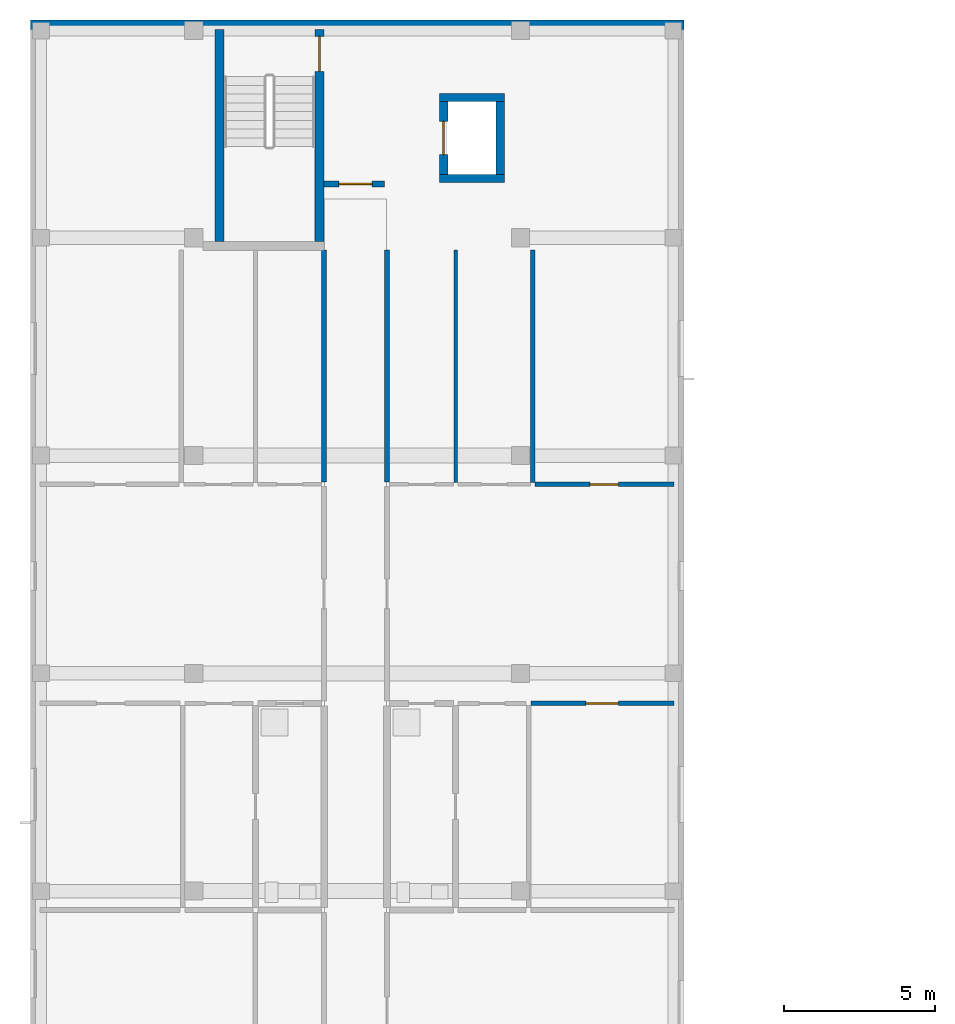
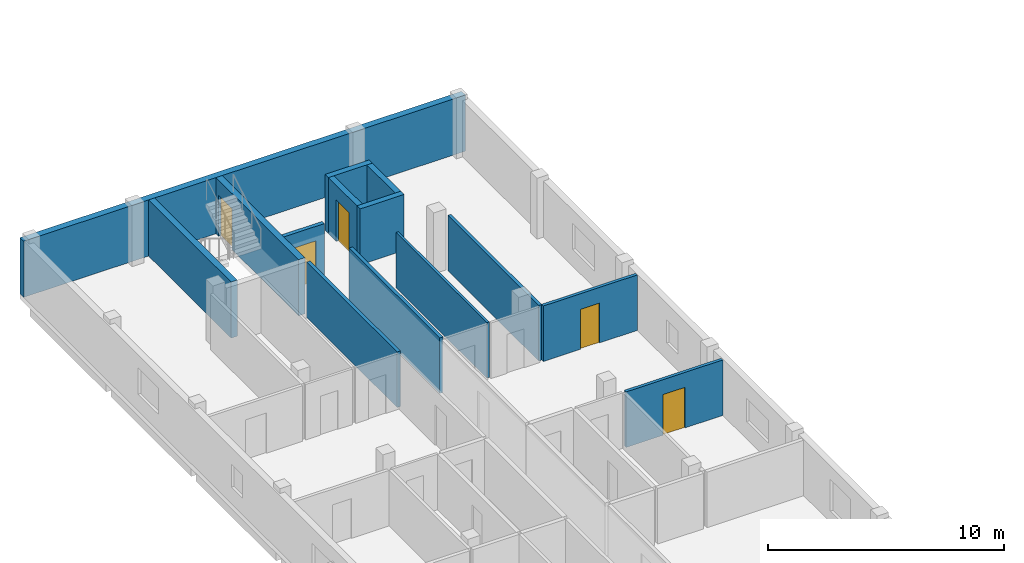
# One storey, part 14 of 35: 14 walls, 5 doors, 5 openings.
"""IFC4 building model written with IfcOpenShell, lengths in metres."""

import ifcopenshell
import ifcopenshell.guid

model = None  # the IFC model being written
_history = None  # IfcOwnerHistory: only IFC2X3 demands one
_inside = {}  # id of a spatial element -> (the spatial element, [elements in it])
_under = {}  # id of a project, library or spatial element -> (it, [spatial elements below it])
_declared = {}  # id of a project -> (the project, [libraries it declares])
_typed = {}  # id of a type object -> (the type object, [elements of that type])
_made_of = {}  # id of a material, layer set ... -> (it, [elements and type objects made of it])


def new_model(schema):
    """Start an empty IFC model of exactly this schema.

    Asked for "IFC4X3", IfcOpenShell would pick the latest addendum, in which some entities
    have other attributes; the version numbers below select the first issue.
    IFC2X3 requires an IfcOwnerHistory on every rooted entity: one is made here for all.
    """
    global model, _history
    if schema == "IFC4X3":
        model = ifcopenshell.file(schema_version=(4, 3, 0, 0))
    else:
        model = ifcopenshell.file(schema=schema)
    _inside.clear()
    _under.clear()
    _declared.clear()
    _typed.clear()
    _made_of.clear()
    _history = None
    if model.schema == "IFC2X3":
        org = make("IfcOrganization", Name="unknown")
        user = make(
            "IfcPersonAndOrganization",
            ThePerson=make("IfcPerson", FamilyName="unknown"),
            TheOrganization=org,
        )
        app = make(
            "IfcApplication",
            ApplicationDeveloper=org,
            Version="unknown",
            ApplicationFullName="unknown",
            ApplicationIdentifier="unknown",
        )
        _history = make(
            "IfcOwnerHistory",
            OwningUser=user,
            OwningApplication=app,
            ChangeAction="ADDED",
            CreationDate=0,
        )
    return model


def make(cls, **values):
    """One entity of the class cls with the attributes given. An attribute that is None is left unset."""
    return model.create_entity(
        cls, **{name: value for name, value in values.items() if value is not None}
    )


def rooted(cls, **values):
    """An entity with a GlobalId (a new one), such as an element, a storey or a relation."""
    return make(cls, GlobalId=ifcopenshell.guid.new(), OwnerHistory=_history, **values)


def si_unit(unit_type, name, prefix=None):
    """IfcSIUnit, for example si_unit("LENGTHUNIT", "METRE", prefix="MILLI")."""
    return make("IfcSIUnit", UnitType=unit_type, Prefix=prefix, Name=name)


def derived_unit(unit_type, elements):
    """IfcDerivedUnit: a product of units, each with its exponent."""
    return make(
        "IfcDerivedUnit",
        Elements=[
            make("IfcDerivedUnitElement", Unit=unit, Exponent=power)
            for unit, power in elements
        ],
        UnitType=unit_type,
    )


def assignment(units):
    """IfcUnitAssignment: the units of a project."""
    return None if units is None else make("IfcUnitAssignment", Units=units)


def point(xyz):
    """IfcCartesianPoint."""
    return None if xyz is None else make("IfcCartesianPoint", Coordinates=xyz)


def direction(xyz):
    """IfcDirection."""
    return None if xyz is None else make("IfcDirection", DirectionRatios=xyz)


def frame(location, z_axis=None, x_axis=None):
    """IfcAxis2Placement3D, a coordinate frame: its origin and axes. An axis left out is left unset."""
    return make(
        "IfcAxis2Placement3D",
        Location=point(location),
        Axis=direction(z_axis),
        RefDirection=direction(x_axis),
    )


def frame_2d(location, x_axis=None):
    """IfcAxis2Placement2D, a coordinate frame in the plane: its origin and x axis."""
    return make(
        "IfcAxis2Placement2D", Location=point(location), RefDirection=direction(x_axis)
    )


def origin():
    """The frame at (0, 0, 0) with its axes left unset."""
    return frame((0.0, 0.0, 0.0))


def place(relative_to, where):
    """IfcLocalPlacement: puts the frame where relative to a parent placement (None: the world)."""
    return make(
        "IfcLocalPlacement", PlacementRelTo=relative_to, RelativePlacement=where
    )


def context(
    kind, dimensions, precision=None, world=None, true_north=None, identifier=None
):
    """IfcGeometricRepresentationContext, for example the 3D "Model" context."""
    return make(
        "IfcGeometricRepresentationContext",
        ContextIdentifier=identifier,
        ContextType=kind,
        CoordinateSpaceDimension=dimensions,
        Precision=precision,
        WorldCoordinateSystem=world,
        TrueNorth=true_north,
    )


def subcontext(parent, identifier, kind, view, scale=None):
    """IfcGeometricRepresentationSubContext, for example "Body" below "Model"."""
    return make(
        "IfcGeometricRepresentationSubContext",
        ContextIdentifier=identifier,
        ContextType=kind,
        ParentContext=parent,
        TargetScale=scale,
        TargetView=view,
    )


def project(units=None, contexts=None):
    """IfcProject with its units and contexts."""
    return rooted(
        "IfcProject",
        Name="project",
        RepresentationContexts=contexts,
        UnitsInContext=assignment(units),
    )


def spatial(cls, under=None, at=None, **own):
    """A site, building, storey or space (cls), placed at a placement, below another one or the project."""
    s = rooted(cls, ObjectPlacement=at, **own)
    if under is not None:
        _under.setdefault(under.id(), (under, []))[1].append(s)
    return s


def profile(cls, at=None, kind="AREA", **sizes):
    """A parametric profile (cls). Its sizes go by their IFC names, for example OverallWidth=200.0."""
    return make(cls, ProfileType=kind, Position=at, **sizes)


def rectangle(**sizes):
    """IfcRectangleProfileDef."""
    return profile("IfcRectangleProfileDef", **sizes)


def extrude(swept, where, along, depth):
    """IfcExtrudedAreaSolid: the profile swept, set in the frame where, extruded along a direction by depth."""
    return make(
        "IfcExtrudedAreaSolid",
        SweptArea=swept,
        Position=where,
        ExtrudedDirection=direction(along),
        Depth=depth,
    )


def shape(context_of_items, identifier, shape_type, items):
    """IfcShapeRepresentation: the items that make up one representation, for example the "Body"."""
    return make(
        "IfcShapeRepresentation",
        ContextOfItems=context_of_items,
        RepresentationIdentifier=identifier,
        RepresentationType=shape_type,
        Items=items,
    )


def material(Name=None, Category=None):
    """IfcMaterial."""
    return make("IfcMaterial", Name=Name, Category=Category)


def layer(
    of_material, thickness, ventilated=None, Name=None, Category=None, Priority=None
):
    """IfcMaterialLayer: one layer of a wall or slab, of a material (None: an air gap)."""
    return make(
        "IfcMaterialLayer",
        Material=of_material,
        LayerThickness=thickness,
        IsVentilated=ventilated,
        Name=Name,
        Category=Category,
        Priority=Priority,
    )


def layer_set(layers, Name=None):
    """IfcMaterialLayerSet."""
    return make("IfcMaterialLayerSet", MaterialLayers=layers, LayerSetName=Name)


def made_of(thing, what):
    """Note that an element or type object is made of a material, layer set ...; save() writes the relation."""
    if what is not None:
        _made_of.setdefault(what.id(), (what, []))[1].append(thing)
    return thing


def type_object(cls, material=None, **own):
    """A type object (cls), such as IfcWallType, which elements share."""
    return made_of(rooted(cls, **own), material)


def element(
    cls,
    number,
    at=None,
    inside=None,
    cuts=None,
    type_object=None,
    material=None,
    context=None,
    identifier="Body",
    shape_type=None,
    held_by="IfcProductDefinitionShape",
    body=None,
    shapes=None,
    **own,
):
    """One element of the class cls, such as IfcWall. Its Tag is "e" and its number.

    at: its placement. inside: the storey or other place that contains it. cuts: it is an
    opening in that element (IfcRelVoidsElement). A single representation is given by context,
    identifier, shape_type and body (its items); several are given by shapes. held_by: the class
    of the entity that holds the representations. save() writes the other relations.
    """
    e = rooted(cls, Tag="e%d" % number, ObjectPlacement=at, **own)
    if body is not None:
        shapes = [shape(context, identifier, shape_type, body)]
    if shapes is not None:
        e.Representation = make(held_by, Representations=shapes)
    if inside is not None:
        _inside.setdefault(inside.id(), (inside, []))[1].append(e)
    if cuts is not None:
        rooted(
            "IfcRelVoidsElement", RelatingBuildingElement=cuts, RelatedOpeningElement=e
        )
    if type_object is not None:
        _typed.setdefault(type_object.id(), (type_object, []))[1].append(e)
    return made_of(e, material)


def fill(opening, filler):
    """IfcRelFillsElement: the door or window that sits in an opening."""
    return rooted(
        "IfcRelFillsElement",
        RelatingOpeningElement=opening,
        RelatedBuildingElement=filler,
    )


def aggregate(whole, parts):
    """IfcRelAggregates: a whole, such as a stair, and the parts it consists of."""
    return rooted("IfcRelAggregates", RelatingObject=whole, RelatedObjects=parts)


def save(model, path):
    """Write the relations noted so far, then the file.

    IfcRelAggregates (storeys below a building ...), IfcRelContainedInSpatialStructure (elements
    in a storey), IfcRelDefinesByType, IfcRelAssociatesMaterial and IfcRelDeclares: one each for
    every whole, place, type object, material and project.
    """
    for whole, parts in _under.values():
        aggregate(whole, parts)
    for where, things in _inside.values():
        rooted(
            "IfcRelContainedInSpatialStructure",
            RelatedElements=things,
            RelatingStructure=where,
        )
    for kind, things in _typed.values():
        rooted("IfcRelDefinesByType", RelatedObjects=things, RelatingType=kind)
    for what, things in _made_of.values():
        rooted("IfcRelAssociatesMaterial", RelatedObjects=things, RelatingMaterial=what)
    for by, libraries in _declared.values():
        rooted("IfcRelDeclares", RelatingContext=by, RelatedDefinitions=libraries)
    model.write(path)


model = new_model("IFC4")

# Units and contexts
model_context = context("Model", 3, precision=1e-05, world=origin(), true_north=direction((0.0, 1.0)))
body_context = subcontext(model_context, "Body", "Model", "MODEL_VIEW")
ifc_project = project(units=[si_unit("LENGTHUNIT", "METRE"), si_unit("AREAUNIT", "SQUARE_METRE"), si_unit("VOLUMEUNIT", "CUBIC_METRE"), si_unit("PLANEANGLEUNIT", "RADIAN"), si_unit("MASSUNIT", "GRAM", prefix="KILO"), derived_unit("THERMALTRANSMITTANCEUNIT", [(si_unit("MASSUNIT", "GRAM", prefix="KILO"), 1), (si_unit("TIMEUNIT", "SECOND"), -3), (si_unit("THERMODYNAMICTEMPERATUREUNIT", "KELVIN"), -1)])], contexts=[model_context])

# Site, building, storey
site_placement = place(None, origin())
site = spatial("IfcSite", under=ifc_project, at=site_placement, CompositionType="ELEMENT")
building_placement = place(site_placement, origin())
building = spatial("IfcBuilding", under=site, at=building_placement, Name="Ochrekiln Boulevard Commons", CompositionType="ELEMENT")
storey_placement = place(building_placement, frame((0.0, 0.0, 30.97509765625)))
storey = spatial("IfcBuildingStorey", under=building, at=storey_placement, Name="L09", CompositionType="ELEMENT", Elevation=30.97509765625)

# Walls
ifc_material_1 = material(Name="Desert ochre clinker brick masonry ASTM C216 Grade SW", Category="masonry")
ifc_layer_1 = layer(ifc_material_1, 0.320068359375)
ifc_layer_set_1 = layer_set([ifc_layer_1], Name="Desert ochre clinker brick masonry ASTM C216 Grade SW")
wall_type_1 = type_object("IfcWallType", Name="WL-EXT-OCHRE-320", PredefinedType="SOLIDWALL", material=ifc_layer_set_1)
wall_1_placement = place(storey_placement, frame((0.0, 118.639892578125, 0.0), z_axis=(0.0, 0.0, 1.0), x_axis=(1.0, 0.0, 0.0)))
element("IfcWall", 1, at=wall_1_placement, inside=storey, type_object=wall_type_1, Name="Block A L09 N Exterior Wall", PredefinedType="SOLIDWALL", context=body_context, shape_type="SweptSolid", body=[
    extrude(rectangle(XDim=21.60009765625, YDim=0.320068359375, at=frame_2d((10.800048828125, 0.0))), origin(), (0.0, 0.0, 1.0), 2.89990234375),
])
ifc_material_2 = material(Name="Fire-rated Type X gypsum board on steel studs", Category="steel")
ifc_layer_2 = layer(ifc_material_2, 0.1650390625)
ifc_layer_set_2 = layer_set([ifc_layer_2], Name="Fire-rated Type X gypsum board on steel studs")
wall_type_2 = type_object("IfcWallType", Name="WL-PT-CORR-165", PredefinedType="PARTITIONING", material=ifc_layer_set_2)
for number, where, z_axis, x_axis, name in (
    (2, (9.7099609375, 103.530029296875, 0.0), (0.0, 0.0, 1.0), (0.0, 1.0, 0.0), "L09 Interior Wall W-PC165"),
    (3, (11.7900390625, 103.530029296875, 0.0), (0.0, 0.0, 1.0), (0.0, 1.0, 0.0), "L09 Interior Wall W-PC165"),
):
    element("IfcWall", number, at=place(storey_placement, frame(where, z_axis=z_axis, x_axis=x_axis)), inside=storey, type_object=wall_type_2, Name=name, PredefinedType="PARTITIONING", context=body_context, shape_type="SweptSolid", body=[
        extrude(rectangle(XDim=7.669921875, YDim=0.1650390625, at=frame_2d((3.8349609375, 0.0))), origin(), (0.0, 0.0, 1.0), 2.869873046875),
    ])

# Wall, opening, door
ifc_layer_3 = layer(ifc_material_2, 0.18994140625)
ifc_layer_set_3 = layer_set([ifc_layer_3], Name="Fire-rated Type X gypsum board on steel studs")
wall_type_3 = type_object("IfcWallType", Name="WL-PT-LBY-190", PredefinedType="PARTITIONING", material=ifc_layer_set_3)
wall_2_placement = place(storey_placement, frame((9.699951171875, 113.3798828125, 0.0), z_axis=(0.0, 0.0, 1.0), x_axis=(1.0, 0.0, 0.0)))
wall_2 = element("IfcWall", 4, at=wall_2_placement, inside=storey, type_object=wall_type_3, Name="L09 Interior Wall W-PL190", PredefinedType="PARTITIONING", context=body_context, shape_type="SweptSolid", body=[
    extrude(rectangle(XDim=2.0, YDim=0.18994140625, at=frame_2d((1.0, 0.0))), origin(), (0.0, 0.0, 1.0), 2.869873046875),
])
opening_1_placement = place(wall_2_placement, frame((0.5, 0.0, 0.0)))
opening_1 = element("IfcOpeningElement", 5, at=opening_1_placement, cuts=wall_2, Name="Opening D-L09-1097", PredefinedType="OPENING", context=body_context, shape_type="SweptSolid", body=[
    extrude(rectangle(XDim=1.10009765625, YDim=2.1201171875, at=frame_2d((0.550048828125, 1.06005859375))), frame((0.0, 0.10498046875, 0.0), z_axis=(0.0, -1.0, 0.0), x_axis=(1.0, 0.0, 0.0)), (0.0, 0.0, 1.0), 0.2099609375),
])
ifc_material_3 = material(Name="Hollow metal fire-rated steel door assembly", Category="steel")
door_type_1 = type_object("IfcDoorType", Name="DR-LOBBY-60", OperationType="NOTDEFINED", PredefinedType="DOOR", material=ifc_material_3)
door_1_placement = place(opening_1_placement, origin())
door_1 = element("IfcDoor", 6, at=door_1_placement, inside=storey, type_object=door_type_1, Name="L09 Interior Door to Fire Service Access Elevator Lobby", OperationType="SINGLE_SWING_LEFT", OverallHeight=2.1201171875, OverallWidth=1.10009765625, PredefinedType="DOOR", context=body_context, shape_type="SweptSolid", body=[
    extrude(rectangle(XDim=1.10009765625, YDim=2.1201171875, at=frame_2d((0.550048828125, 1.06005859375))), frame((0.0, 0.02490234375, 0.0), z_axis=(0.0, -1.0, 0.0), x_axis=(1.0, 0.0, 0.0)), (0.0, 0.0, 1.0), 0.050048828125),
])
fill(opening_1, door_1)

# Wall
ifc_layer_4 = layer(ifc_material_2, 0.1201171875)
ifc_layer_set_4 = layer_set([ifc_layer_4], Name="Fire-rated Type X gypsum board on steel studs")
wall_type_4 = type_object("IfcWallType", Name="WL-PT-LGT-120", PredefinedType="PARTITIONING", material=ifc_layer_set_4)
wall_3_placement = place(storey_placement, frame((14.06005859375, 103.510009765625, 0.0), z_axis=(0.0, 0.0, 1.0), x_axis=(0.0, 1.0, 0.0)))
element("IfcWall", 7, at=wall_3_placement, inside=storey, type_object=wall_type_4, Name="L09 Interior Wall W-PL120", PredefinedType="PARTITIONING", context=body_context, shape_type="SweptSolid", body=[
    extrude(rectangle(XDim=7.68994140625, YDim=0.1201171875, at=frame_2d((3.844970703125, 0.0))), origin(), (0.0, 0.0, 1.0), 2.869873046875),
])

# Wall, opening, door
ifc_layer_5 = layer(ifc_material_2, 0.14990234375)
ifc_layer_set_5 = layer_set([ifc_layer_5], Name="Fire-rated Type X gypsum board on steel studs")
wall_type_5 = type_object("IfcWallType", Name="WL-PT-STD-150", PredefinedType="PARTITIONING", material=ifc_layer_set_5)
wall_4_placement = place(storey_placement, frame((16.550048828125, 96.2041015625, 0.0), z_axis=(0.0, 0.0, 1.0), x_axis=(1.0, 0.0, 0.0)))
wall_4 = element("IfcWall", 8, at=wall_4_placement, inside=storey, type_object=wall_type_5, Name="L09 Interior Wall W-PS150", PredefinedType="PARTITIONING", context=body_context, shape_type="SweptSolid", body=[
    extrude(rectangle(XDim=4.72998046875, YDim=0.14990234375, at=frame_2d((2.364990234375, 0.0))), origin(), (0.0, 0.0, 1.0), 2.869873046875),
])
opening_2_placement = place(wall_4_placement, frame((1.81005859375, 0.0, 0.0)))
opening_2 = element("IfcOpeningElement", 9, at=opening_2_placement, cuts=wall_4, Name="Opening D-L09-1117", PredefinedType="OPENING", context=body_context, shape_type="SweptSolid", body=[
    extrude(rectangle(XDim=1.080078125, YDim=2.10009765625, at=frame_2d((0.5400390625, 1.050048828125))), frame((0.0, 0.0849609375, 0.0), z_axis=(0.0, -1.0, 0.0), x_axis=(1.0, 0.0, 0.0)), (0.0, 0.0, 1.0), 0.169921875),
])
ifc_material_4 = material(Name="Solid core architectural oak door leaf")
door_type_2 = type_object("IfcDoorType", Name="DR-INT-BED-108", OperationType="NOTDEFINED", PredefinedType="DOOR", material=ifc_material_4)
door_2_placement = place(opening_2_placement, frame((1.080078125, 0.0, 0.0), z_axis=(0.0, 0.0, 1.0), x_axis=(-1.0, 0.0, 0.0)))
door_2 = element("IfcDoor", 10, at=door_2_placement, inside=storey, type_object=door_type_2, Name="L09 Interior Door to Primary Apartment Bedroom", OperationType="SINGLE_SWING_LEFT", OverallHeight=2.10009765625, OverallWidth=1.080078125, PredefinedType="DOOR", context=body_context, shape_type="SweptSolid", body=[
    extrude(rectangle(XDim=1.080078125, YDim=2.10009765625, at=frame_2d((0.5400390625, 1.050048828125))), frame((0.0, 0.02490234375, 0.0), z_axis=(0.0, -1.0, 0.0), x_axis=(1.0, 0.0, 0.0)), (0.0, 0.0, 1.0), 0.050048828125),
])
fill(opening_2, door_2)

wall_5_placement = place(storey_placement, frame((16.68701171875, 103.449951171875, 0.0), z_axis=(0.0, 0.0, 1.0), x_axis=(1.0, 0.0, 0.0)))
wall_5 = element("IfcWall", 11, at=wall_5_placement, inside=storey, type_object=wall_type_5, Name="L09 Interior Wall W-PS150", PredefinedType="PARTITIONING", context=body_context, shape_type="SweptSolid", body=[
    extrude(rectangle(XDim=4.593017578125, YDim=0.14990234375, at=frame_2d((2.29638671875, 0.0))), origin(), (0.0, 0.0, 1.0), 2.869873046875),
])
opening_3_placement = place(wall_5_placement, frame((1.81103515625, 0.0, 0.0)))
opening_3 = element("IfcOpeningElement", 12, at=opening_3_placement, cuts=wall_5, Name="Opening D-L09-1119", PredefinedType="OPENING", context=body_context, shape_type="SweptSolid", body=[
    extrude(rectangle(XDim=0.93994140625, YDim=2.06005859375, at=frame_2d((0.469970703125, 1.030029296875))), frame((0.0, 0.0849609375, 0.0), z_axis=(0.0, -1.0, 0.0), x_axis=(1.0, 0.0, 0.0)), (0.0, 0.0, 1.0), 0.169921875),
])
door_type_3 = type_object("IfcDoorType", Name="DR-INT-BED-094", OperationType="NOTDEFINED", PredefinedType="DOOR", material=ifc_material_4)
door_3_placement = place(opening_3_placement, origin())
door_3 = element("IfcDoor", 13, at=door_3_placement, inside=storey, type_object=door_type_3, Name="L09 Interior Door to Secondary Apartment Bedroom", OperationType="SINGLE_SWING_LEFT", OverallHeight=2.06005859375, OverallWidth=0.93994140625, PredefinedType="DOOR", context=body_context, shape_type="SweptSolid", body=[
    extrude(rectangle(XDim=0.93994140625, YDim=2.06005859375, at=frame_2d((0.469970703125, 1.030029296875))), frame((0.0, 0.02490234375, 0.0), z_axis=(0.0, -1.0, 0.0), x_axis=(1.0, 0.0, 0.0)), (0.0, 0.0, 1.0), 0.050048828125),
])
fill(opening_3, door_3)

# Walls
wall_6_placement = place(storey_placement, frame((16.60693359375, 103.510009765625, 0.0), z_axis=(0.0, 0.0, 1.0), x_axis=(0.0, 1.0, 0.0)))
element("IfcWall", 14, at=wall_6_placement, inside=storey, type_object=wall_type_5, Name="L09 Interior Wall W-PS150", PredefinedType="PARTITIONING", context=body_context, shape_type="SweptSolid", body=[
    extrude(rectangle(XDim=7.68994140625, YDim=0.14990234375, at=frame_2d((3.844970703125, 0.0))), origin(), (0.0, 0.0, 1.0), 2.869873046875),
])
ifc_material_5 = material(Name="Concrete C40/50", Category="concrete")
ifc_layer_6 = layer(ifc_material_5, 0.27490234375)
ifc_layer_set_6 = layer_set([ifc_layer_6], Name="Concrete C40/50")
wall_type_6 = type_object("IfcWallType", Name="WL-SH-275", PredefinedType="SHEAR", material=ifc_layer_set_6)
for number, where, z_axis, x_axis, name in (
    (15, (13.52490234375, 113.5625, 0.0), (0.0, 0.0, 1.0), (1.0, 0.0, 0.0), "Elevator FF-A2 L09 Hoistway Shear Wall"),
    (16, (13.52490234375, 116.237548828125, 0.0), (0.0, 0.0, 1.0), (1.0, 0.0, 0.0), "Elevator FF-A2 L09 Hoistway Shear Wall"),
):
    element("IfcWall", number, at=place(storey_placement, frame(where, z_axis=z_axis, x_axis=x_axis)), inside=storey, type_object=wall_type_6, Name=name, PredefinedType="SHEAR", context=body_context, shape_type="SweptSolid", body=[
        extrude(rectangle(XDim=2.150146484375, YDim=0.27490234375, at=frame_2d((1.0751953125, 0.0))), origin(), (0.0, 0.0, 1.0), 2.89990234375),
    ])

# Wall, opening, door
wall_7_placement = place(storey_placement, frame((13.66259765625, 113.699951171875, 0.0), z_axis=(0.0, 0.0, 1.0), x_axis=(0.0, 1.0, 0.0)))
wall_7 = element("IfcWall", 17, at=wall_7_placement, inside=storey, type_object=wall_type_6, Name="Elevator FF-A2 L09 Hoistway Shear Wall", PredefinedType="SHEAR", context=body_context, shape_type="SweptSolid", body=[
    extrude(rectangle(XDim=2.400146484375, YDim=0.27490234375, at=frame_2d((1.2001953125, 0.0))), origin(), (0.0, 0.0, 1.0), 2.89990234375),
])
opening_4_placement = place(wall_7_placement, frame((0.64990234375, 0.0, 0.0)))
opening_4 = element("IfcOpeningElement", 18, at=opening_4_placement, cuts=wall_7, Name="Opening LD-FF-A2-L09", PredefinedType="OPENING", context=body_context, shape_type="SweptSolid", body=[
    extrude(rectangle(XDim=1.10009765625, YDim=2.14990234375, at=frame_2d((0.550048828125, 1.074951171875))), frame((0.0, 0.1474609375, 0.0), z_axis=(0.0, -1.0, 0.0), x_axis=(1.0, 0.0, 0.0)), (0.0, 0.0, 1.0), 0.294921875),
])
ifc_material_6 = material(Name="Brushed stainless steel 316 elevator cab and doors", Category="steel")
door_type_4 = type_object("IfcDoorType", Name="DR-LIFT-LD90", OperationType="SLIDING_TO_LEFT", PredefinedType="DOOR", material=ifc_material_6)
door_4_placement = place(opening_4_placement, origin())
door_4 = element("IfcDoor", 19, at=door_4_placement, inside=storey, type_object=door_type_4, Name="Elevator FF-A2 L09 Sliding Landing Door LD-FF-A2-L09", OperationType="SLIDING_TO_LEFT", OverallHeight=2.14990234375, OverallWidth=1.10009765625, PredefinedType="DOOR", context=body_context, shape_type="SweptSolid", body=[
    extrude(rectangle(XDim=1.10009765625, YDim=2.14990234375, at=frame_2d((0.550048828125, 1.074951171875))), frame((0.0, 0.02490234375, 0.0), z_axis=(0.0, -1.0, 0.0), x_axis=(1.0, 0.0, 0.0)), (0.0, 0.0, 1.0), 0.050048828125),
])
fill(opening_4, door_4)

# Walls
wall_8_placement = place(storey_placement, frame((15.53759765625, 113.699951171875, 0.0), z_axis=(0.0, 0.0, 1.0), x_axis=(0.0, 1.0, 0.0)))
element("IfcWall", 20, at=wall_8_placement, inside=storey, type_object=wall_type_6, Name="Elevator FF-A2 L09 Hoistway Shear Wall", PredefinedType="SHEAR", context=body_context, shape_type="SweptSolid", body=[
    extrude(rectangle(XDim=2.400146484375, YDim=0.27490234375, at=frame_2d((1.2001953125, 0.0))), origin(), (0.0, 0.0, 1.0), 2.89990234375),
])
ifc_layer_7 = layer(ifc_material_5, 0.300048828125)
ifc_layer_set_7 = layer_set([ifc_layer_7], Name="Concrete C40/50")
wall_type_7 = type_object("IfcWallType", Name="WL-SH-300", PredefinedType="SHEAR", material=ifc_layer_set_7)
wall_9_placement = place(storey_placement, frame((6.25, 111.47998046875, 0.0), z_axis=(0.0, 0.0, 1.0), x_axis=(0.0, 1.0, 0.0)))
element("IfcWall", 21, at=wall_9_placement, inside=storey, type_object=wall_type_7, Name="Stair ST-A2 L09 Core Shear Wall W", PredefinedType="SHEAR", context=body_context, shape_type="SweptSolid", body=[
    extrude(rectangle(XDim=7.0, YDim=0.300048828125, at=frame_2d((3.5, 0.0))), origin(), (0.0, 0.0, 1.0), 2.89990234375),
])

# Wall, opening, door
wall_10_placement = place(storey_placement, frame((9.550048828125, 111.47998046875, 0.0), z_axis=(0.0, 0.0, 1.0), x_axis=(0.0, 1.0, 0.0)))
wall_10 = element("IfcWall", 22, at=wall_10_placement, inside=storey, type_object=wall_type_7, Name="Stair ST-A2 L09 Core Shear Wall E", PredefinedType="SHEAR", context=body_context, shape_type="SweptSolid", body=[
    extrude(rectangle(XDim=7.0, YDim=0.300048828125, at=frame_2d((3.5, 0.0))), origin(), (0.0, 0.0, 1.0), 2.89990234375),
])
opening_5_placement = place(wall_10_placement, frame((5.625, 0.0, 0.0)))
opening_5 = element("IfcOpeningElement", 23, at=opening_5_placement, cuts=wall_10, Name="Opening D-L09-ST-A2", PredefinedType="OPENING", context=body_context, shape_type="SweptSolid", body=[
    extrude(rectangle(XDim=1.14990234375, YDim=2.1201171875, at=frame_2d((0.574951171875, 1.06005859375))), frame((0.0, 0.159912109375, 0.0), z_axis=(0.0, -1.0, 0.0), x_axis=(1.0, 0.0, 0.0)), (0.0, 0.0, 1.0), 0.320068359375),
])
door_type_5 = type_object("IfcDoorType", Name="DR-STAIR-90", OperationType="NOTDEFINED", PredefinedType="DOOR", material=ifc_material_3)
door_5_placement = place(opening_5_placement, origin())
door_5 = element("IfcDoor", 24, at=door_5_placement, inside=storey, type_object=door_type_5, Name="Enclosed Exit Stair ST-A2 L09 Rated Door", OperationType="SINGLE_SWING_LEFT", OverallHeight=2.1201171875, OverallWidth=1.14990234375, PredefinedType="DOOR", context=body_context, shape_type="SweptSolid", body=[
    extrude(rectangle(XDim=1.14990234375, YDim=2.1201171875, at=frame_2d((0.574951171875, 1.06005859375))), frame((0.0, 0.02490234375, 0.0), z_axis=(0.0, -1.0, 0.0), x_axis=(1.0, 0.0, 0.0)), (0.0, 0.0, 1.0), 0.050048828125),
])
fill(opening_5, door_5)

save(model, "model.ifc")
